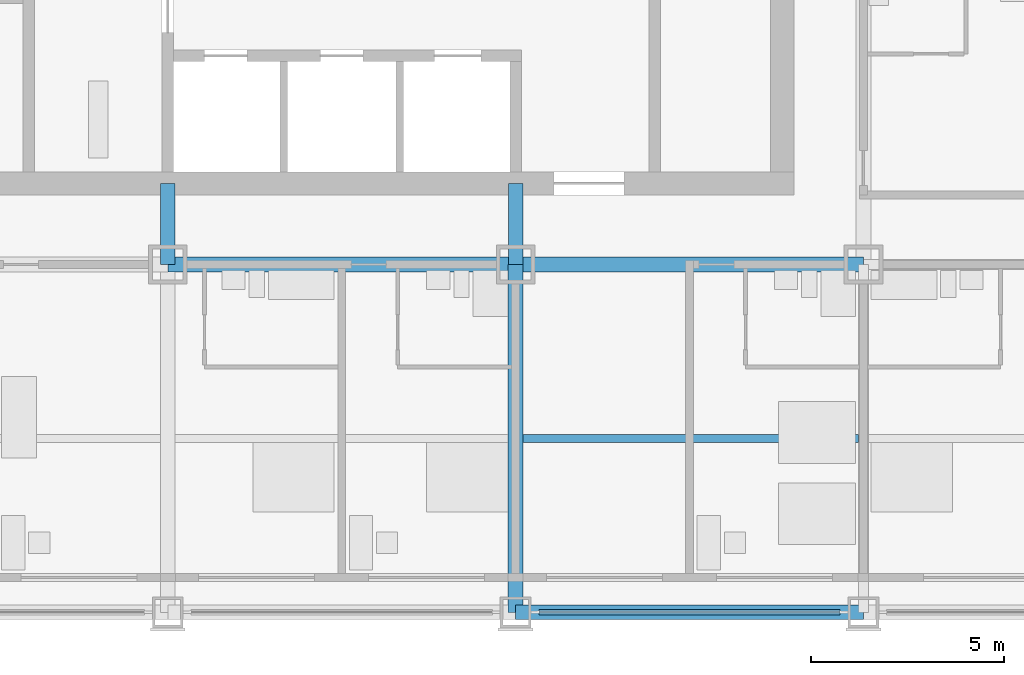
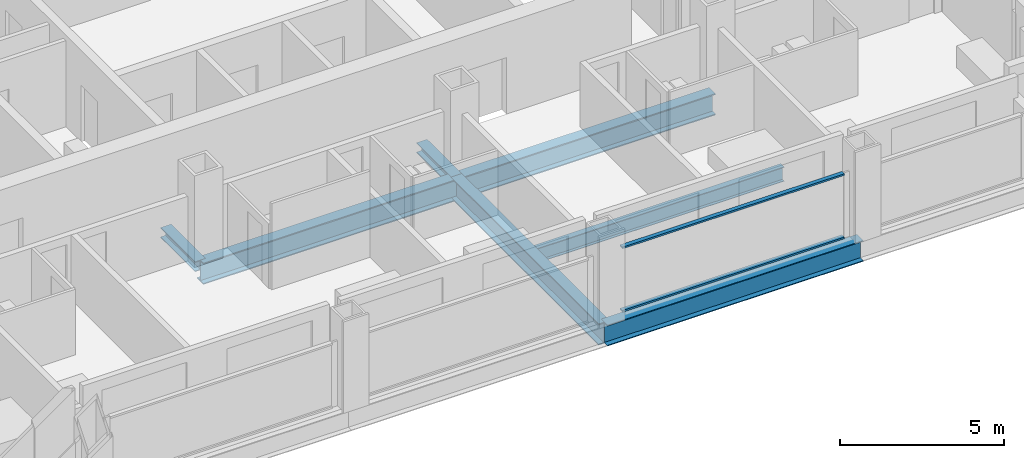
# One storey, part 3 of 16: 5 beams, 4 members, 1 element without a shape of its own.
"""IFC4 building model written with IfcOpenShell, lengths in metres."""

from ifc_helpers import new_model, si_unit, direction, frame, origin, origin_2d, place, context, subcontext, project, spatial, rectangle, i_section, extrude, material, material_profile, profile_set, type_object, element, aggregate, save


model = new_model("IFC4")

# Units and contexts
model_context = context("Model", 3, precision=1e-05, world=origin(), true_north=direction((0.0, 1.0)))
body_context = subcontext(model_context, "Body", "Model", "MODEL_VIEW")
ifc_project = project(units=[si_unit("LENGTHUNIT", "METRE"), si_unit("AREAUNIT", "SQUARE_METRE"), si_unit("VOLUMEUNIT", "CUBIC_METRE"), si_unit("PLANEANGLEUNIT", "RADIAN"), si_unit("MASSUNIT", "GRAM", prefix="KILO")], contexts=[model_context])

# Site, building, storey
site_placement = place(None, origin())
site = spatial("IfcSite", under=ifc_project, at=site_placement, CompositionType="ELEMENT")
building_placement = place(site_placement, origin())
building = spatial("IfcBuilding", under=site, at=building_placement, Name="Loomwork Tower", CompositionType="ELEMENT")
storey_placement = place(building_placement, frame((0.0, 0.0, 97.60009765625)))
storey = spatial("IfcBuildingStorey", under=building, at=storey_placement, Name="L25", CompositionType="ELEMENT", Elevation=97.60009765625)

# Beams
ifc_material_1 = material(Name="Steel ASTM A992", Category="steel")
ifc_material_profile_1 = material_profile(ifc_material_1, i_section(OverallWidth=0.383544921875, OverallDepth=0.794921875, WebThickness=0.02099609375, FlangeThickness=0.0380859375, at=origin_2d()), Name="W30x235")
ifc_profile_set_1 = profile_set([ifc_material_profile_1], Name="Steel ASTM A992")
beam_type_1 = type_object("IfcBeamType", Name="CORE FLANK GIRDER W30x235", PredefinedType="BEAM", material=ifc_profile_set_1)
for number, where, z_axis, x_axis, name in (
    (1, (18.0, 9.0, -0.59765625), (1.0, 0.0, 0.0), (0.0, 1.0, 0.0), "Core Flank Girder E/4-E/5 L25"),
    (2, (27.0, 9.0, -0.59765625), (1.0, 0.0, 0.0), (0.0, 1.0, 0.0), "Core Flank Girder E/5-E/6 L25"),
    (3, (27.0, 0.0, -0.59765625), (0.0, 1.0, 0.0), (-1.0, 0.0, 0.0), "Core Flank Girder D/5-E/5 L25"),
):
    element("IfcBeam", number, at=place(storey_placement, frame(where, z_axis=z_axis, x_axis=x_axis)), inside=storey, type_object=beam_type_1, Name=name, PredefinedType="BEAM", context=body_context, shape_type="SweptSolid", body=[
        extrude(i_section(OverallWidth=0.383544921875, OverallDepth=0.794921875, WebThickness=0.02099609375, FlangeThickness=0.0380859375, at=origin_2d()), origin(), (0.0, 0.0, 1.0), 9.0),
    ])

# Members
ifc_material_2 = material(Name="Steel ASTM A992", Category="steel")
ifc_material_profile_2 = material_profile(ifc_material_2, i_section(OverallWidth=0.373291015625, OverallDepth=0.373291015625, WebThickness=0.016357421875, FlangeThickness=0.026123046875, at=origin_2d()), Name="W14x132")
ifc_profile_set_2 = profile_set([ifc_material_profile_2], Name="Steel ASTM A992")
member_type_1 = type_object("IfcMemberType", Name="CORE LINK STRUT W14x132", PredefinedType="STRUT", material=ifc_profile_set_2)
for number, where, z_axis, x_axis, name in (
    (4, (27.0, 9.0, -0.38671875), (0.0, 1.0, 0.0), (-1.0, 0.0, 0.0), "Core link strut E/5-27.000,11.100 L25"),
    (5, (18.0, 9.0, -0.38671875), (0.0, 1.0, 0.0), (-1.0, 0.0, 0.0), "Core link strut E/4-18.000,11.100 L25"),
):
    element("IfcMember", number, at=place(storey_placement, frame(where, z_axis=z_axis, x_axis=x_axis)), inside=storey, type_object=member_type_1, Name=name, PredefinedType="STRUT", context=body_context, shape_type="SweptSolid", body=[
        extrude(i_section(OverallWidth=0.373291015625, OverallDepth=0.373291015625, WebThickness=0.016357421875, FlangeThickness=0.026123046875, at=origin_2d()), origin(), (0.0, 0.0, 1.0), 2.10009765625),
    ])

# Beam
ifc_material_3 = material(Name="Steel ASTM A992", Category="steel")
ifc_material_profile_3 = material_profile(ifc_material_3, i_section(OverallWidth=0.2109375, OverallDepth=0.53857421875, WebThickness=0.011474609375, FlangeThickness=0.018798828125, at=origin_2d()), Name="W21x73")
ifc_profile_set_3 = profile_set([ifc_material_profile_3], Name="Steel ASTM A992")
beam_type_2 = type_object("IfcBeamType", Name="FLOOR JOIST W21x73", PredefinedType="JOIST", material=ifc_profile_set_3)
beam_1_placement = place(storey_placement, frame((27.19091796875, 4.5, -0.46923828125), z_axis=(1.0, 0.0, 0.0), x_axis=(0.0, 1.0, 0.0)))
element("IfcBeam", 6, at=beam_1_placement, inside=storey, type_object=beam_type_2, Name="Floor Joist 27.000,4.500-36.000,4.500 L25", PredefinedType="JOIST", context=body_context, shape_type="SweptSolid", body=[
    extrude(i_section(OverallWidth=0.2109375, OverallDepth=0.53857421875, WebThickness=0.011474609375, FlangeThickness=0.018798828125, at=origin_2d()), origin(), (0.0, 0.0, 1.0), 8.676025390625),
])

# Curtain wall, members
ifc_material_4 = material(Name="Aluminium curtain wall frame", Category="aluminium")
curtain_wall_type = type_object("IfcCurtainWallType", Name="Outer skin glazing hotel", PredefinedType="NOTDEFINED", material=ifc_material_4)
curtain_wall_placement = place(storey_placement, origin())
curtain_wall = element("IfcCurtainWall", 7, at=curtain_wall_placement, inside=storey, type_object=curtain_wall_type, Name="Outer skin glazing hotel cw/S-27", PredefinedType="NOTDEFINED")
ifc_material_5 = material(Name="Aluminium curtain wall frame", Category="aluminium")
ifc_material_profile_4 = material_profile(ifc_material_5, rectangle(XDim=0.14990234375, YDim=0.06494140625, at=origin_2d()), Name="AL 65x150")
ifc_profile_set_4 = profile_set([ifc_material_profile_4], Name="Aluminium curtain wall frame")
member_type_2 = type_object("IfcMemberType", Name="Outer skin glazing hotel transom", PredefinedType="USERDEFINED", material=ifc_profile_set_4)
member_1_placement = place(storey_placement, frame((27.60009765625, 0.0, 0.032470703125), z_axis=(1.0, 0.0, 0.0), x_axis=(0.0, 1.0, 0.0)))
member_1 = element("IfcMember", 8, at=member_1_placement, type_object=member_type_2, Name="CW1 transom 1.1", ObjectType="TRANSOM", PredefinedType="USERDEFINED", context=body_context, shape_type="SweptSolid", body=[
    extrude(rectangle(XDim=0.14990234375, YDim=0.06494140625, at=origin_2d()), origin(), (0.0, 0.0, 1.0), 7.7998046875),
])
member_2_placement = place(storey_placement, frame((27.60009765625, 0.0, 2.3876953125), z_axis=(1.0, 0.0, 0.0), x_axis=(0.0, 1.0, 0.0)))
member_2 = element("IfcMember", 9, at=member_2_placement, type_object=member_type_2, Name="CW1 transom 1.2", ObjectType="TRANSOM", PredefinedType="USERDEFINED", context=body_context, shape_type="SweptSolid", body=[
    extrude(rectangle(XDim=0.14990234375, YDim=0.06494140625, at=origin_2d()), origin(), (0.0, 0.0, 1.0), 7.7998046875),
])
aggregate(curtain_wall, [member_1, member_2])

# Beam
ifc_material_6 = material(Name="Steel ASTM A992", Category="steel")
ifc_material_profile_5 = material_profile(ifc_material_6, i_section(OverallWidth=0.381103515625, OverallDepth=0.77978515625, WebThickness=0.01806640625, FlangeThickness=0.0302734375, at=origin_2d()), Name="W30x191")
ifc_profile_set_5 = profile_set([ifc_material_profile_5], Name="Steel ASTM A992")
beam_type_3 = type_object("IfcBeamType", Name="SPANDREL GIRDER W30x191", PredefinedType="SPANDREL", material=ifc_profile_set_5)
beam_2_placement = place(storey_placement, frame((27.0, 0.0, -0.590087890625), z_axis=(1.0, 0.0, 0.0), x_axis=(0.0, 1.0, 0.0)))
element("IfcBeam", 10, at=beam_2_placement, inside=storey, type_object=beam_type_3, Name="Spandrel Girder D/5-D/6 L25", PredefinedType="SPANDREL", context=body_context, shape_type="SweptSolid", body=[
    extrude(i_section(OverallWidth=0.381103515625, OverallDepth=0.77978515625, WebThickness=0.01806640625, FlangeThickness=0.0302734375, at=origin_2d()), origin(), (0.0, 0.0, 1.0), 9.0),
])

save(model, "model.ifc")
